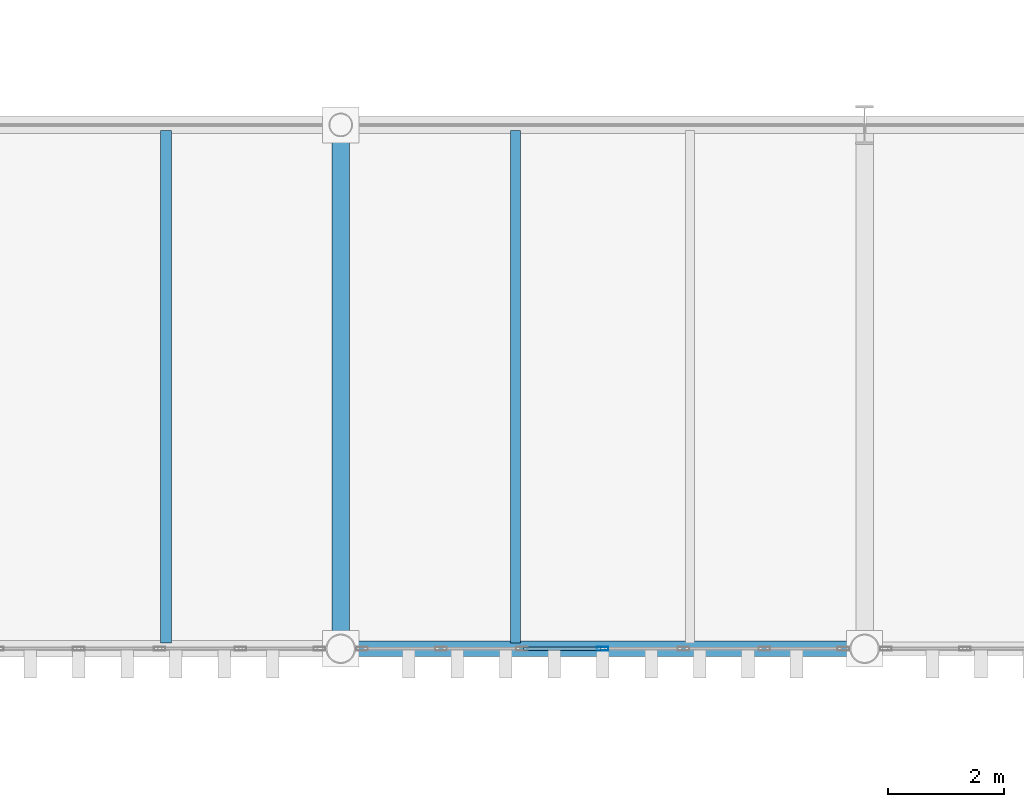
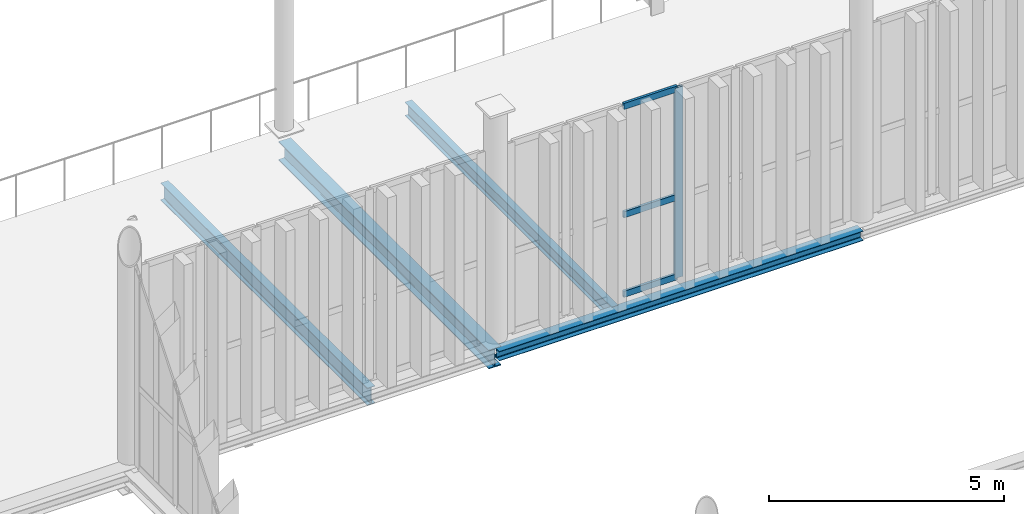
# One storey, part 33 of 211: 4 beams, 4 members, 1 element without a shape of its own.
"""IFC4 building model written with IfcOpenShell, lengths in metres."""

from ifc_helpers import new_model, si_unit, direction, frame, origin, origin_2d, place, context, subcontext, project, spatial, hollow_rectangle, i_section, extrude, material, layer, layer_set, material_profile, profile_set, type_object, element, aggregate, save


model = new_model("IFC4")

# Units and contexts
model_context = context("Model", 3, precision=1e-05, world=origin(), true_north=direction((0.0, 1.0)))
body_context = subcontext(model_context, "Body", "Model", "MODEL_VIEW")
ifc_project = project(units=[si_unit("LENGTHUNIT", "METRE"), si_unit("AREAUNIT", "SQUARE_METRE"), si_unit("VOLUMEUNIT", "CUBIC_METRE"), si_unit("PLANEANGLEUNIT", "RADIAN"), si_unit("MASSUNIT", "GRAM", prefix="KILO")], contexts=[model_context])

# Site, building, storey
site_placement = place(None, origin())
site = spatial("IfcSite", under=ifc_project, at=site_placement, CompositionType="ELEMENT")
building_placement = place(site_placement, origin())
building = spatial("IfcBuilding", under=site, at=building_placement, Name="Barlavento Convention Centre", CompositionType="ELEMENT")
storey_placement = place(building_placement, frame((0.0, 0.0, 6.0)))
storey = spatial("IfcBuildingStorey", under=building, at=storey_placement, Name="L01", CompositionType="ELEMENT", Elevation=6.0)

# Curtain wall, members
ifc_material_1 = material(Name="Powder-coated aluminium and Low-E glass", Category="aluminium")
ifc_layer = layer(ifc_material_1, 0.18505859375)
ifc_layer_set = layer_set([ifc_layer], Name="ARC-CW-CONG-L01")
curtain_wall_type = type_object("IfcCurtainWallType", Name="ARC-CW-CONG-L01", PredefinedType="NOTDEFINED", material=ifc_layer_set)
curtain_wall_placement = place(storey_placement, origin())
curtain_wall = element("IfcCurtainWall", 1, at=curtain_wall_placement, inside=storey, type_object=curtain_wall_type, Name="L01 unitised curtain wall CW01", PredefinedType="NOTDEFINED")
ifc_material_2 = material(Name="Powder-coated aluminium", Category="aluminium")
ifc_material_profile_1 = material_profile(ifc_material_2, hollow_rectangle(XDim=0.06494140625, YDim=0.199951171875, WallThickness=0.0048828125, at=origin_2d()), Name="AL-MULL 65x200x5")
ifc_profile_set_1 = profile_set([ifc_material_profile_1], Name="Powder-coated aluminium")
member_type_1 = type_object("IfcMemberType", Name="ARC-CWM-65X200", PredefinedType="MULLION", material=ifc_profile_set_1)
member_1_placement = place(storey_placement, frame((31.5, 9.0, 0.0), z_axis=(0.0, 0.0, 1.0), x_axis=(0.0, 1.0, 0.0)))
member_1 = element("IfcMember", 2, at=member_1_placement, type_object=member_type_1, Name="CW01 mullion 4", PredefinedType="MULLION", context=body_context, shape_type="SweptSolid", body=[
    extrude(hollow_rectangle(XDim=0.06494140625, YDim=0.199951171875, WallThickness=0.0048828125, at=origin_2d()), origin(), (0.0, 0.0, 1.0), 4.949951171875),
])
ifc_material_profile_2 = material_profile(ifc_material_2, hollow_rectangle(XDim=0.06494140625, YDim=0.159912109375, WallThickness=0.0048828125, at=origin_2d()), Name="AL-TRAN 65x160x5")
ifc_profile_set_2 = profile_set([ifc_material_profile_2], Name="Powder-coated aluminium")
member_type_2 = type_object("IfcMemberType", Name="ARC-CWT-65X160", PredefinedType="USERDEFINED", material=ifc_profile_set_2)
member_2_placement = place(storey_placement, frame((30.143798828125, 9.0, 0.032470703125), z_axis=(1.0, 0.0, 0.0), x_axis=(0.0, 1.0, 0.0)))
member_2 = element("IfcMember", 3, at=member_2_placement, type_object=member_type_2, Name="CW01 transom 3.1", ObjectType="TRANSOM", PredefinedType="USERDEFINED", context=body_context, shape_type="SweptSolid", body=[
    extrude(hollow_rectangle(XDim=0.06494140625, YDim=0.159912109375, WallThickness=0.0048828125, at=origin_2d()), origin(), (0.0, 0.0, 1.0), 1.32373046875),
])
member_3_placement = place(storey_placement, frame((30.143798828125, 9.0, 2.10009765625), z_axis=(1.0, 0.0, 0.0), x_axis=(0.0, 1.0, 0.0)))
member_3 = element("IfcMember", 4, at=member_3_placement, type_object=member_type_2, Name="CW01 transom 3.2", ObjectType="TRANSOM", PredefinedType="USERDEFINED", context=body_context, shape_type="SweptSolid", body=[
    extrude(hollow_rectangle(XDim=0.06494140625, YDim=0.159912109375, WallThickness=0.0048828125, at=origin_2d()), origin(), (0.0, 0.0, 1.0), 1.32373046875),
])
member_4_placement = place(storey_placement, frame((30.143798828125, 9.0, 4.91748046875), z_axis=(1.0, 0.0, 0.0), x_axis=(0.0, 1.0, 0.0)))
member_4 = element("IfcMember", 5, at=member_4_placement, type_object=member_type_2, Name="CW01 transom 3.3", ObjectType="TRANSOM", PredefinedType="USERDEFINED", context=body_context, shape_type="SweptSolid", body=[
    extrude(hollow_rectangle(XDim=0.06494140625, YDim=0.159912109375, WallThickness=0.0048828125, at=origin_2d()), origin(), (0.0, 0.0, 1.0), 1.32373046875),
])
aggregate(curtain_wall, [member_1, member_2, member_3, member_4])

# Beams
ifc_material_3 = material(Name="Steel S355", Category="steel")
ifc_material_profile_3 = material_profile(ifc_material_3, i_section(OverallWidth=0.169921875, OverallDepth=0.360107421875, WebThickness=0.008056640625, FlangeThickness=0.0126953125, FilletRadius=0.01806640625, at=origin_2d()), Name="IPE 360")
ifc_profile_set_3 = profile_set([ifc_material_profile_3], Name="Steel S355")
beam_type_1 = type_object("IfcBeamType", Name="STR-BM-JST-IPE360", PredefinedType="JOIST", material=ifc_profile_set_3)
beam_1_placement = place(storey_placement, frame((30.0, 9.094970703125, -0.47998046875), z_axis=(0.0, 1.0, 0.0), x_axis=(-1.0, 0.0, 0.0)))
element("IfcBeam", 6, at=beam_1_placement, inside=storey, type_object=beam_type_1, Name="L01 composite floor joist SJ05", PredefinedType="JOIST", context=body_context, shape_type="SweptSolid", body=[
    extrude(i_section(OverallWidth=0.169921875, OverallDepth=0.360107421875, WebThickness=0.008056640625, FlangeThickness=0.0126953125, FilletRadius=0.01806640625, at=origin_2d()), origin(), (0.0, 0.0, 1.0), 8.81005859375),
])
ifc_material_profile_4 = material_profile(ifc_material_3, i_section(OverallWidth=0.18994140625, OverallDepth=0.449951171875, WebThickness=0.009521484375, FlangeThickness=0.0146484375, FilletRadius=0.02099609375, at=origin_2d()), Name="IPE 450")
ifc_profile_set_4 = profile_set([ifc_material_profile_4], Name="Steel S355")
beam_type_2 = type_object("IfcBeamType", Name="STR-BM-JST-IPE450", PredefinedType="JOIST", material=ifc_profile_set_4)
beam_2_placement = place(storey_placement, frame((24.0, 9.094970703125, -0.52490234375), z_axis=(0.0, 1.0, 0.0), x_axis=(-1.0, 0.0, 0.0)))
element("IfcBeam", 7, at=beam_2_placement, inside=storey, type_object=beam_type_2, Name="L01 composite floor joist SJ03", PredefinedType="JOIST", context=body_context, shape_type="SweptSolid", body=[
    extrude(i_section(OverallWidth=0.18994140625, OverallDepth=0.449951171875, WebThickness=0.009521484375, FlangeThickness=0.0146484375, FilletRadius=0.02099609375, at=origin_2d()), origin(), (0.0, 0.0, 1.0), 8.81005859375),
])
ifc_material_profile_5 = material_profile(ifc_material_3, i_section(OverallWidth=0.300048828125, OverallDepth=0.489990234375, WebThickness=0.011962890625, FlangeThickness=0.02294921875, FilletRadius=0.027099609375, at=origin_2d()), Name="HEA 500")
ifc_profile_set_5 = profile_set([ifc_material_profile_5], Name="Steel S355")
beam_type_3 = type_object("IfcBeamType", Name="STR-BM-PRI-HEA500", PredefinedType="BEAM", material=ifc_profile_set_5)
beam_3_placement = place(storey_placement, frame((27.0, 9.02001953125, -0.544921875), z_axis=(0.0, 1.0, 0.0), x_axis=(-1.0, 0.0, 0.0)))
element("IfcBeam", 8, at=beam_3_placement, inside=storey, type_object=beam_type_3, Name="L01 grid girder BG20", PredefinedType="BEAM", context=body_context, shape_type="SweptSolid", body=[
    extrude(i_section(OverallWidth=0.300048828125, OverallDepth=0.489990234375, WebThickness=0.011962890625, FlangeThickness=0.02294921875, FilletRadius=0.027099609375, at=origin_2d()), origin(), (0.0, 0.0, 1.0), 8.9599609375),
])
ifc_material_profile_6 = material_profile(ifc_material_3, i_section(OverallWidth=0.260009765625, OverallDepth=0.25, WebThickness=0.007568359375, FlangeThickness=0.012451171875, FilletRadius=0.02392578125, at=origin_2d()), Name="HEA 260")
ifc_profile_set_6 = profile_set([ifc_material_profile_6], Name="Steel S355")
beam_type_4 = type_object("IfcBeamType", Name="STR-BM-SPN-HEA260", PredefinedType="SPANDREL", material=ifc_profile_set_6)
beam_4_placement = place(storey_placement, frame((27.02001953125, 9.0, -0.425048828125), z_axis=(1.0, 0.0, 0.0), x_axis=(0.0, 1.0, 0.0)))
element("IfcBeam", 9, at=beam_4_placement, inside=storey, type_object=beam_type_4, Name="L01 primary girder SP04", PredefinedType="SPANDREL", context=body_context, shape_type="SweptSolid", body=[
    extrude(i_section(OverallWidth=0.260009765625, OverallDepth=0.25, WebThickness=0.007568359375, FlangeThickness=0.012451171875, FilletRadius=0.02392578125, at=origin_2d()), origin(), (0.0, 0.0, 1.0), 8.9599609375),
])

save(model, "model.ifc")
